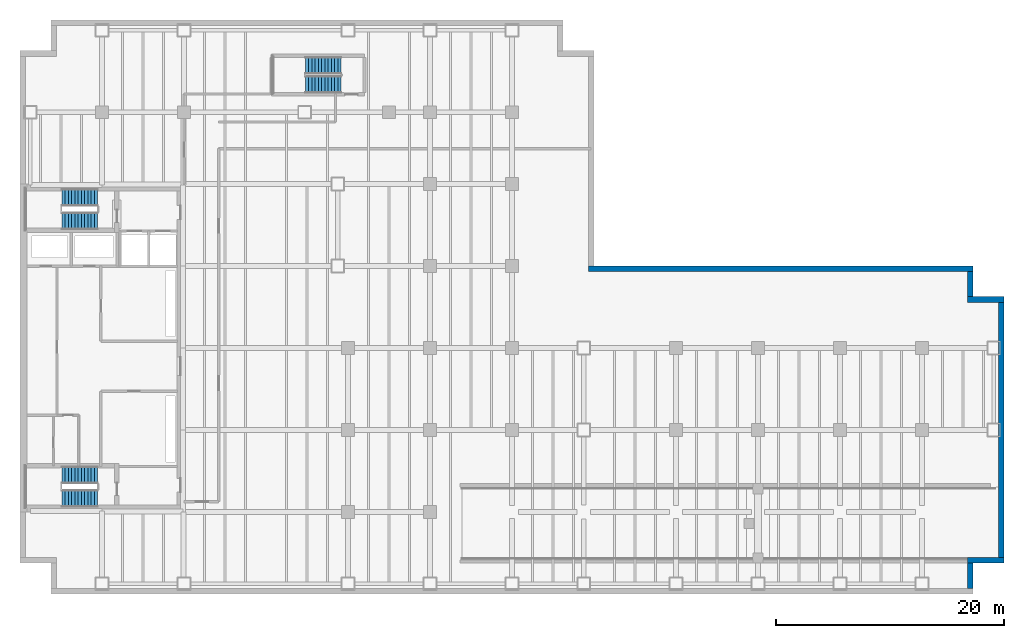
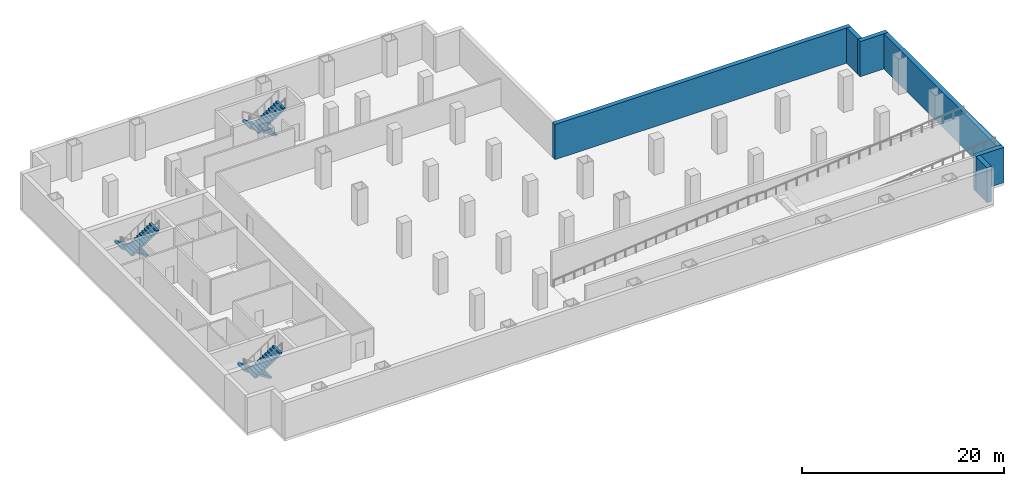
# One storey, part 8 of 11: 6 stair flights, 6 walls, 3 elements without a shape of their own.
"""IFC4 building model written with IfcOpenShell, lengths in metres."""

from ifc_helpers import new_model, si_unit, direction, frame, frame_2d, origin, place, context, subcontext, project, spatial, polyline, rectangle, outline, extrude, material, layer, layer_set, type_object, element, aggregate, save


model = new_model("IFC4")

# Units and contexts
model_context = context("Model", 3, precision=1e-05, world=origin(), true_north=direction((0.0, 1.0)))
body_context = subcontext(model_context, "Body", "Model", "MODEL_VIEW")
ifc_project = project(units=[si_unit("LENGTHUNIT", "METRE"), si_unit("AREAUNIT", "SQUARE_METRE"), si_unit("VOLUMEUNIT", "CUBIC_METRE"), si_unit("PLANEANGLEUNIT", "RADIAN"), si_unit("MASSUNIT", "GRAM", prefix="KILO")], contexts=[model_context])

# Site, building, storey
site_placement = place(None, origin())
site = spatial("IfcSite", under=ifc_project, at=site_placement, CompositionType="ELEMENT")
building_placement = place(site_placement, origin())
building = spatial("IfcBuilding", under=site, at=building_placement, Name="Cobrela Telecom Tower", CompositionType="ELEMENT")
storey_placement = place(building_placement, frame((0.0, 0.0, -4.550048828125)))
storey = spatial("IfcBuildingStorey", under=building, at=storey_placement, Name="B1", CompositionType="ELEMENT", Elevation=-4.550048828125)

# Walls
ifc_material = material(Name="Concrete C40/50", Category="concrete")
ifc_layer = layer(ifc_material, 0.5)
ifc_layer_set = layer_set([ifc_layer], Name="Concrete C40/50")
wall_type = type_object("IfcWallType", Name="WALL-RET-C40-500", PredefinedType="SOLIDWALL", material=ifc_layer_set)
wall_1_placement = place(storey_placement, frame((49.89990234375, 28.550048828125, 0.0), z_axis=(0.0, 0.0, 1.0), x_axis=(1.0, 0.0, 0.0)))
element("IfcWall", 1, at=wall_1_placement, inside=storey, type_object=wall_type, Name="B1 Basement Retaining Wall 10", PredefinedType="SOLIDWALL", context=body_context, shape_type="SweptSolid", body=[
    extrude(rectangle(XDim=33.800048828125, YDim=0.5, at=frame_2d((16.89990234375, 0.0))), origin(), (0.0, 0.0, 1.0), 4.25),
])
wall_2_placement = place(storey_placement, frame((83.449951171875, 28.300048828125, 0.0), z_axis=(0.0, 0.0, 1.0), x_axis=(0.0, -1.0, 0.0)))
element("IfcWall", 2, at=wall_2_placement, inside=storey, type_object=wall_type, Name="B1 Basement Retaining Wall 11", PredefinedType="SOLIDWALL", context=body_context, shape_type="SweptSolid", body=[
    extrude(rectangle(XDim=2.199951171875, YDim=0.5, at=frame_2d((1.10009765625, 0.0))), origin(), (0.0, 0.0, 1.0), 4.25),
])
wall_3_placement = place(storey_placement, frame((83.199951171875, 25.85009765625, 0.0), z_axis=(0.0, 0.0, 1.0), x_axis=(1.0, 0.0, 0.0)))
element("IfcWall", 3, at=wall_3_placement, inside=storey, type_object=wall_type, Name="B1 Basement Retaining Wall 12", PredefinedType="SOLIDWALL", context=body_context, shape_type="SweptSolid", body=[
    extrude(rectangle(XDim=3.199951171875, YDim=0.5, at=frame_2d((1.60009765625, 0.0))), origin(), (0.0, 0.0, 1.0), 4.25),
])
wall_4_placement = place(storey_placement, frame((86.14990234375, 25.60009765625, 0.0), z_axis=(0.0, 0.0, 1.0), x_axis=(0.0, -1.0, 0.0)))
element("IfcWall", 4, at=wall_4_placement, inside=storey, type_object=wall_type, Name="B1 Basement Retaining Wall 13", PredefinedType="SOLIDWALL", context=body_context, shape_type="SweptSolid", body=[
    extrude(rectangle(XDim=22.400146484375, YDim=0.5, at=frame_2d((11.2001953125, 0.0))), origin(), (0.0, 0.0, 1.0), 4.25),
])
wall_5_placement = place(storey_placement, frame((86.39990234375, 2.949951171875, 0.0), z_axis=(0.0, 0.0, 1.0), x_axis=(-1.0, 0.0, 0.0)))
element("IfcWall", 5, at=wall_5_placement, inside=storey, type_object=wall_type, Name="B1 Basement Retaining Wall 14", PredefinedType="SOLIDWALL", context=body_context, shape_type="SweptSolid", body=[
    extrude(rectangle(XDim=3.199951171875, YDim=0.5, at=frame_2d((1.60009765625, 0.0))), origin(), (0.0, 0.0, 1.0), 4.25),
])
wall_6_placement = place(storey_placement, frame((83.449951171875, 2.699951171875, 0.0), z_axis=(0.0, 0.0, 1.0), x_axis=(0.0, -1.0, 0.0)))
element("IfcWall", 6, at=wall_6_placement, inside=storey, type_object=wall_type, Name="B1 Basement Retaining Wall 15", PredefinedType="SOLIDWALL", context=body_context, shape_type="SweptSolid", body=[
    extrude(rectangle(XDim=2.199951171875, YDim=0.5, at=frame_2d((1.10009765625, 0.0))), origin(), (0.0, 0.0, 1.0), 4.25),
])

# Stair, stair flights
stair_type = type_object("IfcStairType", Name="STAIR-CORE", PredefinedType="HALF_TURN_STAIR", material=ifc_material)
stair_1_placement = place(storey_placement, origin())
stair_1 = element("IfcStair", 7, at=stair_1_placement, inside=storey, type_object=stair_type, Name="B1 Smokeproof Exit Stair ST1", PredefinedType="HALF_TURN_STAIR")
stair_flight_type = type_object("IfcStairFlightType", Name="FLIGHT-CORE", PredefinedType="STRAIGHT", material=ifc_material)
stair_flight_1_placement = place(storey_placement, frame((6.820068359375, 34.800048828125, 0.0), z_axis=(0.0, 0.0, 1.0), x_axis=(-1.0, 0.0, 0.0)))
stair_flight_1 = element("IfcStairFlight", 8, at=stair_flight_1_placement, type_object=stair_flight_type, Name="ST1 flight 1", NumberOfRisers=12, NumberOfTreads=11, PredefinedType="STRAIGHT", RiserHeight=0.189583333, TreadLength=0.285, context=body_context, shape_type="SweptSolid", body=[
    extrude(outline(polyline([(0.0, 0.0), (0.0, 0.189697265625), (0.284912109375, 0.189697265625), (0.284912109375, 0.379150390625), (0.570068359375, 0.379150390625), (0.570068359375, 0.56884765625), (0.85498046875, 0.56884765625), (0.85498046875, 0.75830078125), (1.139892578125, 0.75830078125), (1.139892578125, 0.947998046875), (1.425048828125, 0.947998046875), (1.425048828125, 1.137451171875), (1.7099609375, 1.137451171875), (1.7099609375, 1.3271484375), (1.9951171875, 1.3271484375), (1.9951171875, 1.5166015625), (2.280029296875, 1.5166015625), (2.280029296875, 1.706298828125), (2.56494140625, 1.706298828125), (2.56494140625, 1.895751953125), (2.85009765625, 1.895751953125), (2.85009765625, 2.08544921875), (3.135009765625, 2.08544921875), (3.135009765625, 2.27490234375), (3.135009765625, 1.9052734375), (0.270751953125, 0.0), (0.0, 0.0)])), frame((0.0, 0.75, 0.0), z_axis=(0.0, -1.0, 0.0), x_axis=(1.0, 0.0, 0.0)), (0.0, 0.0, 1.0), 1.5),
])
stair_flight_2_placement = place(storey_placement, frame((3.68505859375, 32.75, 2.275146484375), z_axis=(0.0, 0.0, 1.0), x_axis=(1.0, 0.0, 0.0)))
stair_flight_2 = element("IfcStairFlight", 9, at=stair_flight_2_placement, type_object=stair_flight_type, Name="ST1 flight 2", NumberOfRisers=12, NumberOfTreads=11, PredefinedType="STRAIGHT", RiserHeight=0.189583333, TreadLength=0.285, context=body_context, shape_type="SweptSolid", body=[
    extrude(outline(polyline([(0.0, 0.0), (0.0, 0.189697265625), (0.284912109375, 0.189697265625), (0.284912109375, 0.379150390625), (0.570068359375, 0.379150390625), (0.570068359375, 0.56884765625), (0.85498046875, 0.56884765625), (0.85498046875, 0.75830078125), (1.139892578125, 0.75830078125), (1.139892578125, 0.947998046875), (1.425048828125, 0.947998046875), (1.425048828125, 1.137451171875), (1.7099609375, 1.137451171875), (1.7099609375, 1.3271484375), (1.9951171875, 1.3271484375), (1.9951171875, 1.5166015625), (2.280029296875, 1.5166015625), (2.280029296875, 1.706298828125), (2.56494140625, 1.706298828125), (2.56494140625, 1.895751953125), (2.85009765625, 1.895751953125), (2.85009765625, 2.08544921875), (3.135009765625, 2.08544921875), (3.135009765625, 2.27490234375), (3.135009765625, 1.9052734375), (0.270751953125, 0.0), (0.0, 0.0)])), frame((0.0, 0.75, 0.0), z_axis=(0.0, -1.0, 0.0), x_axis=(1.0, 0.0, 0.0)), (0.0, 0.0, 1.0), 1.5),
])
aggregate(stair_1, [stair_flight_1, stair_flight_2])

stair_2_placement = place(storey_placement, origin())
stair_2 = element("IfcStair", 10, at=stair_2_placement, inside=storey, type_object=stair_type, Name="B1 Smokeproof Exit Stair ST2", PredefinedType="HALF_TURN_STAIR")
stair_flight_3_placement = place(storey_placement, frame((6.820068359375, 10.449951171875, 0.0), z_axis=(0.0, 0.0, 1.0), x_axis=(-1.0, 0.0, 0.0)))
stair_flight_3 = element("IfcStairFlight", 11, at=stair_flight_3_placement, type_object=stair_flight_type, Name="ST2 flight 1", NumberOfRisers=12, NumberOfTreads=11, PredefinedType="STRAIGHT", RiserHeight=0.189583333, TreadLength=0.285, context=body_context, shape_type="SweptSolid", body=[
    extrude(outline(polyline([(0.0, 0.0), (0.0, 0.189697265625), (0.284912109375, 0.189697265625), (0.284912109375, 0.379150390625), (0.570068359375, 0.379150390625), (0.570068359375, 0.56884765625), (0.85498046875, 0.56884765625), (0.85498046875, 0.75830078125), (1.139892578125, 0.75830078125), (1.139892578125, 0.947998046875), (1.425048828125, 0.947998046875), (1.425048828125, 1.137451171875), (1.7099609375, 1.137451171875), (1.7099609375, 1.3271484375), (1.9951171875, 1.3271484375), (1.9951171875, 1.5166015625), (2.280029296875, 1.5166015625), (2.280029296875, 1.706298828125), (2.56494140625, 1.706298828125), (2.56494140625, 1.895751953125), (2.85009765625, 1.895751953125), (2.85009765625, 2.08544921875), (3.135009765625, 2.08544921875), (3.135009765625, 2.27490234375), (3.135009765625, 1.9052734375), (0.270751953125, 0.0), (0.0, 0.0)])), frame((0.0, 0.75, 0.0), z_axis=(0.0, -1.0, 0.0), x_axis=(1.0, 0.0, 0.0)), (0.0, 0.0, 1.0), 1.5),
])
stair_flight_4_placement = place(storey_placement, frame((3.68505859375, 8.39990234375, 2.275146484375), z_axis=(0.0, 0.0, 1.0), x_axis=(1.0, 0.0, 0.0)))
stair_flight_4 = element("IfcStairFlight", 12, at=stair_flight_4_placement, type_object=stair_flight_type, Name="ST2 flight 2", NumberOfRisers=12, NumberOfTreads=11, PredefinedType="STRAIGHT", RiserHeight=0.189583333, TreadLength=0.285, context=body_context, shape_type="SweptSolid", body=[
    extrude(outline(polyline([(0.0, 0.0), (0.0, 0.189697265625), (0.284912109375, 0.189697265625), (0.284912109375, 0.379150390625), (0.570068359375, 0.379150390625), (0.570068359375, 0.56884765625), (0.85498046875, 0.56884765625), (0.85498046875, 0.75830078125), (1.139892578125, 0.75830078125), (1.139892578125, 0.947998046875), (1.425048828125, 0.947998046875), (1.425048828125, 1.137451171875), (1.7099609375, 1.137451171875), (1.7099609375, 1.3271484375), (1.9951171875, 1.3271484375), (1.9951171875, 1.5166015625), (2.280029296875, 1.5166015625), (2.280029296875, 1.706298828125), (2.56494140625, 1.706298828125), (2.56494140625, 1.895751953125), (2.85009765625, 1.895751953125), (2.85009765625, 2.08544921875), (3.135009765625, 2.08544921875), (3.135009765625, 2.27490234375), (3.135009765625, 1.9052734375), (0.270751953125, 0.0), (0.0, 0.0)])), frame((0.0, 0.75, 0.0), z_axis=(0.0, -1.0, 0.0), x_axis=(1.0, 0.0, 0.0)), (0.0, 0.0, 1.0), 1.5),
])
aggregate(stair_2, [stair_flight_3, stair_flight_4])

stair_3_placement = place(storey_placement, origin())
stair_3 = element("IfcStair", 13, at=stair_3_placement, inside=storey, type_object=stair_type, Name="B1 Smokeproof Exit Stair ST3", PredefinedType="HALF_TURN_STAIR")
stair_flight_5_placement = place(storey_placement, frame((28.199951171875, 46.39990234375, 0.0), z_axis=(0.0, 0.0, 1.0), x_axis=(-1.0, 0.0, 0.0)))
stair_flight_5 = element("IfcStairFlight", 14, at=stair_flight_5_placement, type_object=stair_flight_type, Name="ST3 flight 1", NumberOfRisers=12, NumberOfTreads=11, PredefinedType="STRAIGHT", RiserHeight=0.189583333, TreadLength=0.285, context=body_context, shape_type="SweptSolid", body=[
    extrude(outline(polyline([(0.0, 0.0), (0.0, 0.189697265625), (0.284912109375, 0.189697265625), (0.284912109375, 0.379150390625), (0.570068359375, 0.379150390625), (0.570068359375, 0.56884765625), (0.85498046875, 0.56884765625), (0.85498046875, 0.75830078125), (1.139892578125, 0.75830078125), (1.139892578125, 0.947998046875), (1.425048828125, 0.947998046875), (1.425048828125, 1.137451171875), (1.7099609375, 1.137451171875), (1.7099609375, 1.3271484375), (1.9951171875, 1.3271484375), (1.9951171875, 1.5166015625), (2.280029296875, 1.5166015625), (2.280029296875, 1.706298828125), (2.56494140625, 1.706298828125), (2.56494140625, 1.895751953125), (2.85009765625, 1.895751953125), (2.85009765625, 2.08544921875), (3.135009765625, 2.08544921875), (3.135009765625, 2.27490234375), (3.135009765625, 1.9052734375), (0.270751953125, 0.0), (0.0, 0.0)])), frame((0.0, 0.75, 0.0), z_axis=(0.0, -1.0, 0.0), x_axis=(1.0, 0.0, 0.0)), (0.0, 0.0, 1.0), 1.5),
])
stair_flight_6_placement = place(storey_placement, frame((25.06494140625, 44.75, 2.275146484375), z_axis=(0.0, 0.0, 1.0), x_axis=(1.0, 0.0, 0.0)))
stair_flight_6 = element("IfcStairFlight", 15, at=stair_flight_6_placement, type_object=stair_flight_type, Name="ST3 flight 2", NumberOfRisers=12, NumberOfTreads=11, PredefinedType="STRAIGHT", RiserHeight=0.189583333, TreadLength=0.285, context=body_context, shape_type="SweptSolid", body=[
    extrude(outline(polyline([(0.0, 0.0), (0.0, 0.189697265625), (0.284912109375, 0.189697265625), (0.284912109375, 0.379150390625), (0.570068359375, 0.379150390625), (0.570068359375, 0.56884765625), (0.85498046875, 0.56884765625), (0.85498046875, 0.75830078125), (1.139892578125, 0.75830078125), (1.139892578125, 0.947998046875), (1.425048828125, 0.947998046875), (1.425048828125, 1.137451171875), (1.7099609375, 1.137451171875), (1.7099609375, 1.3271484375), (1.9951171875, 1.3271484375), (1.9951171875, 1.5166015625), (2.280029296875, 1.5166015625), (2.280029296875, 1.706298828125), (2.56494140625, 1.706298828125), (2.56494140625, 1.895751953125), (2.85009765625, 1.895751953125), (2.85009765625, 2.08544921875), (3.135009765625, 2.08544921875), (3.135009765625, 2.27490234375), (3.135009765625, 1.9052734375), (0.270751953125, 0.0), (0.0, 0.0)])), frame((0.0, 0.75, 0.0), z_axis=(0.0, -1.0, 0.0), x_axis=(1.0, 0.0, 0.0)), (0.0, 0.0, 1.0), 1.5),
])
aggregate(stair_3, [stair_flight_5, stair_flight_6])

save(model, "model.ifc")
